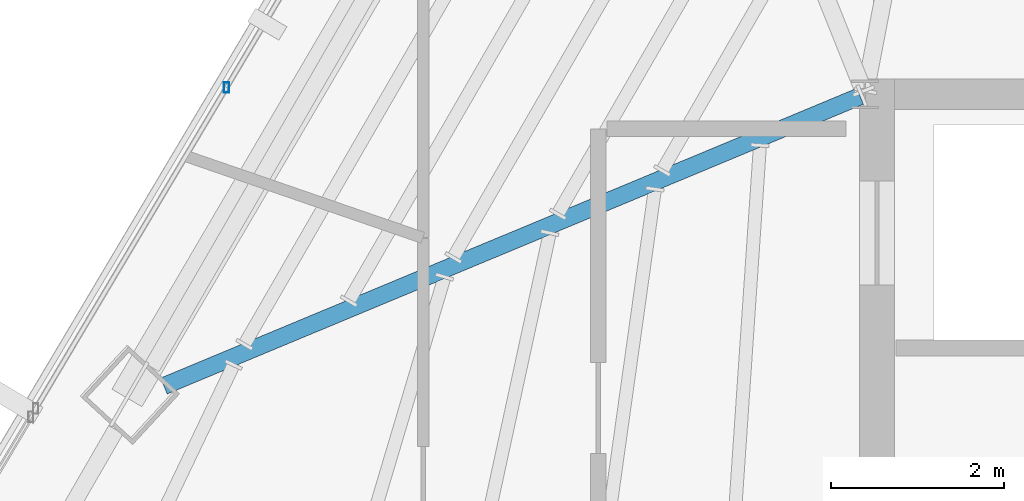
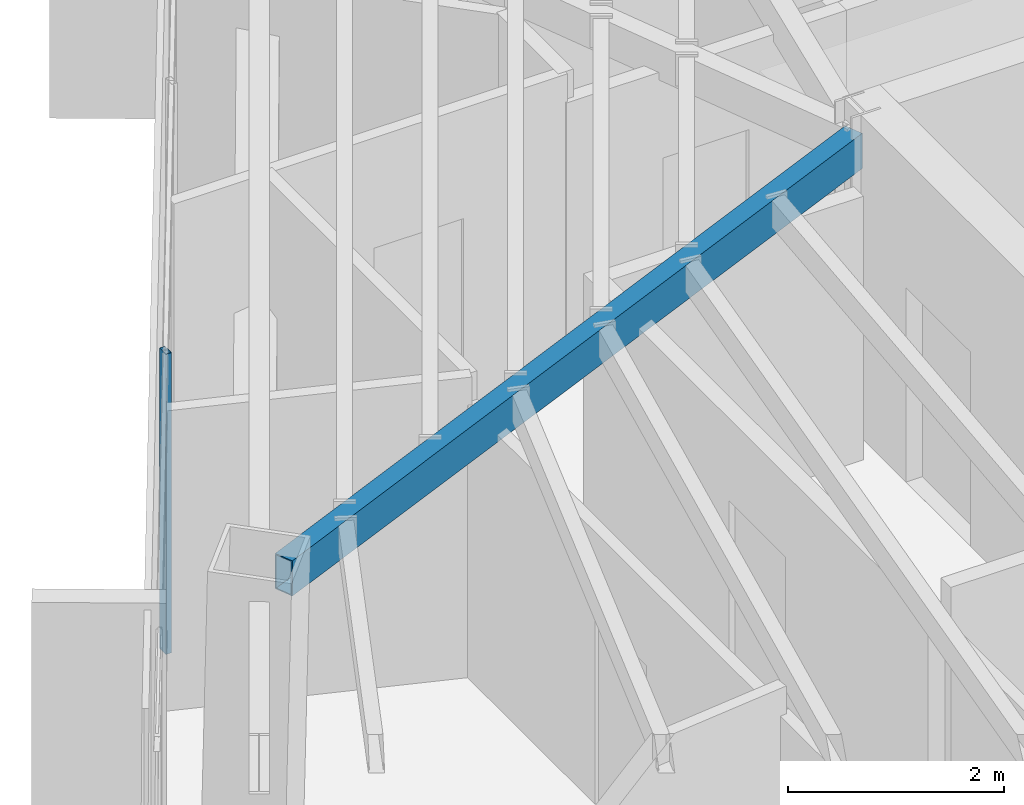
# One storey, part 17 of 49: 1 beam, 1 member, 1 element without a shape of its own.
"""IFC4 building model written with IfcOpenShell, lengths in metres."""

from ifc_helpers import new_model, si_unit, direction, frame, origin, origin_2d, place, context, subcontext, project, spatial, hollow_rectangle, extrude, source, transform, mapped, material, material_profile, profile_set, type_object, type_shapes, element, aggregate, save


model = new_model("IFC4")

# Units and contexts
model_context = context("Model", 3, precision=1e-05, world=origin(), true_north=direction((0.0, 1.0)))
body_context = subcontext(model_context, "Body", "Model", "MODEL_VIEW")
ifc_project = project(units=[si_unit("LENGTHUNIT", "METRE"), si_unit("AREAUNIT", "SQUARE_METRE"), si_unit("VOLUMEUNIT", "CUBIC_METRE"), si_unit("PLANEANGLEUNIT", "RADIAN"), si_unit("MASSUNIT", "GRAM", prefix="KILO")], contexts=[model_context])

# Site, building, storey
site_placement = place(None, origin())
site = spatial("IfcSite", under=ifc_project, at=site_placement, CompositionType="ELEMENT")
building_placement = place(site_placement, origin())
building = spatial("IfcBuilding", under=site, at=building_placement, Name="Caelisora Broadcast Tower", CompositionType="ELEMENT")
storey_placement = place(building_placement, frame((0.0, 0.0, 233.5)))
storey = spatial("IfcBuildingStorey", under=building, at=storey_placement, Name="L61", CompositionType="ELEMENT", Elevation=233.5)

# Beam
ifc_material_1 = material(Name="Steel Grade 350 (AS/NZS 1163 C350L0)", Category="steel")
ifc_material_profile_1 = material_profile(ifc_material_1, hollow_rectangle(XDim=0.199951171875, YDim=0.39990234375, WallThickness=0.012451171875, at=origin_2d()), Name="Steel Grade 350 (AS/NZS 1163 C350L0)")
ifc_profile_set_1 = profile_set([ifc_material_profile_1], Name="Steel Grade 350 (AS/NZS 1163 C350L0)")
beam_type = type_object("IfcBeamType", Name="PG07", PredefinedType="BEAM", material=ifc_profile_set_1)
shared_shape_1 = source(origin(), body_context, "Body", "SweptSolid", [
    extrude(hollow_rectangle(XDim=0.199951171875, YDim=0.39990234375, WallThickness=0.012451171875, at=origin_2d()), origin(), (0.0, 0.0, 1.0), 8.708251953125),
])
type_shapes(beam_type, [shared_shape_1])
beam_placement = place(storey_placement, frame((30.444580078125, 29.976806640625, 3.199951171875), z_axis=(-0.923228639647, -0.384251062373, 0.0), x_axis=(0.384251062373, -0.923228639647, 0.0)))
element("IfcBeam", 1, at=beam_placement, inside=storey, type_object=beam_type, Name="L61 beam PG07", PredefinedType="BEAM", context=body_context, shape_type="MappedRepresentation", body=[
    mapped(shared_shape_1, transform((0.0, 0.0, 0.0), scale=1.0)),
])

# Curtain wall, member
ifc_material_2 = material(Name="Unitised Aluminium Insulated Shadow-Box Spandrel Curtain Wall", Category="aluminium")
curtain_wall_type = type_object("IfcCurtainWallType", Name="CW-SP3", PredefinedType="NOTDEFINED", material=ifc_material_2)
curtain_wall_placement = place(storey_placement, origin())
curtain_wall = element("IfcCurtainWall", 2, at=curtain_wall_placement, inside=storey, type_object=curtain_wall_type, Name="L61 curtain wall CW-SP3", PredefinedType="NOTDEFINED")
ifc_material_3 = material(Name="Aluminium 6063-T6 Anodised Terracotta Bronze", Category="aluminium")
ifc_material_profile_2 = material_profile(ifc_material_3, hollow_rectangle(XDim=0.06005859375, YDim=0.1201171875, WallThickness=0.0029296875, at=origin_2d()), Name="Aluminium 6063-T6 Anodised Terracotta Bronze")
ifc_profile_set_2 = profile_set([ifc_material_profile_2], Name="Aluminium 6063-T6 Anodised Terracotta Bronze")
member_type = type_object("IfcMemberType", Name="CWM-04", PredefinedType="MULLION", material=ifc_profile_set_2)
shared_shape_2 = source(origin(), body_context, "Body", "SweptSolid", [
    extrude(hollow_rectangle(XDim=0.06005859375, YDim=0.1201171875, WallThickness=0.0029296875, at=origin_2d()), origin(), (0.0, 0.0, 1.0), 3.39990234375),
])
type_shapes(member_type, [shared_shape_2])
member_placement = place(storey_placement, frame((23.128662109375, 30.07763671875, 0.0), z_axis=(0.0, 0.0, 1.0), x_axis=(1.0, 0.0, 0.0)))
member = element("IfcMember", 3, at=member_placement, type_object=member_type, Name="L61-CW-B10 mullion #1", PredefinedType="MULLION", context=body_context, shape_type="MappedRepresentation", body=[
    mapped(shared_shape_2, transform((0.0, 0.0, 0.0), scale=1.0)),
])
aggregate(curtain_wall, [member])

save(model, "model.ifc")
